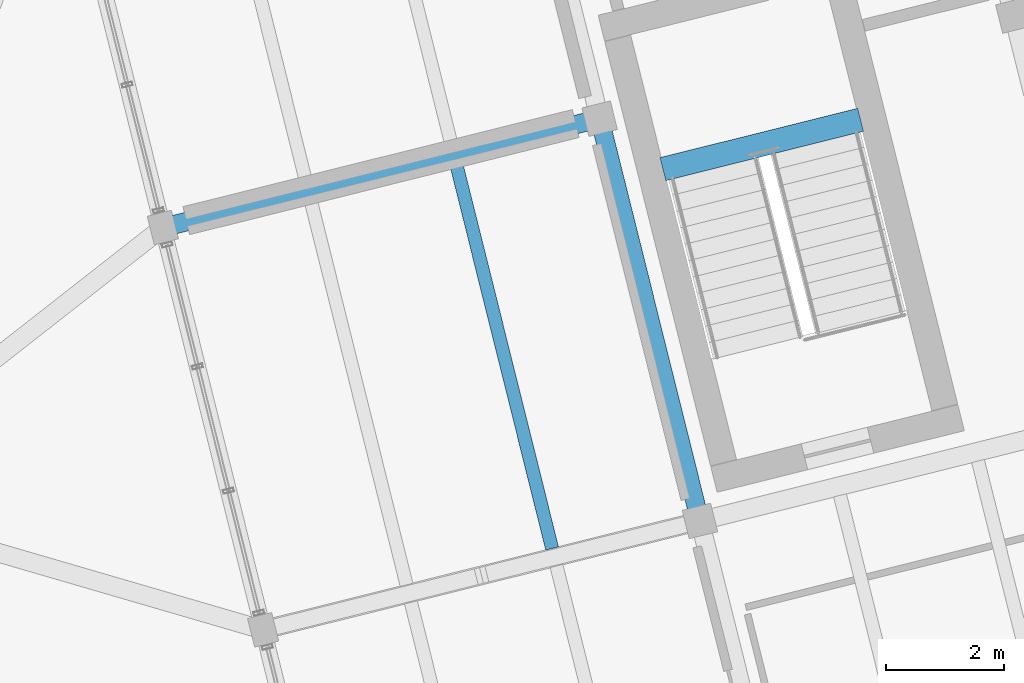
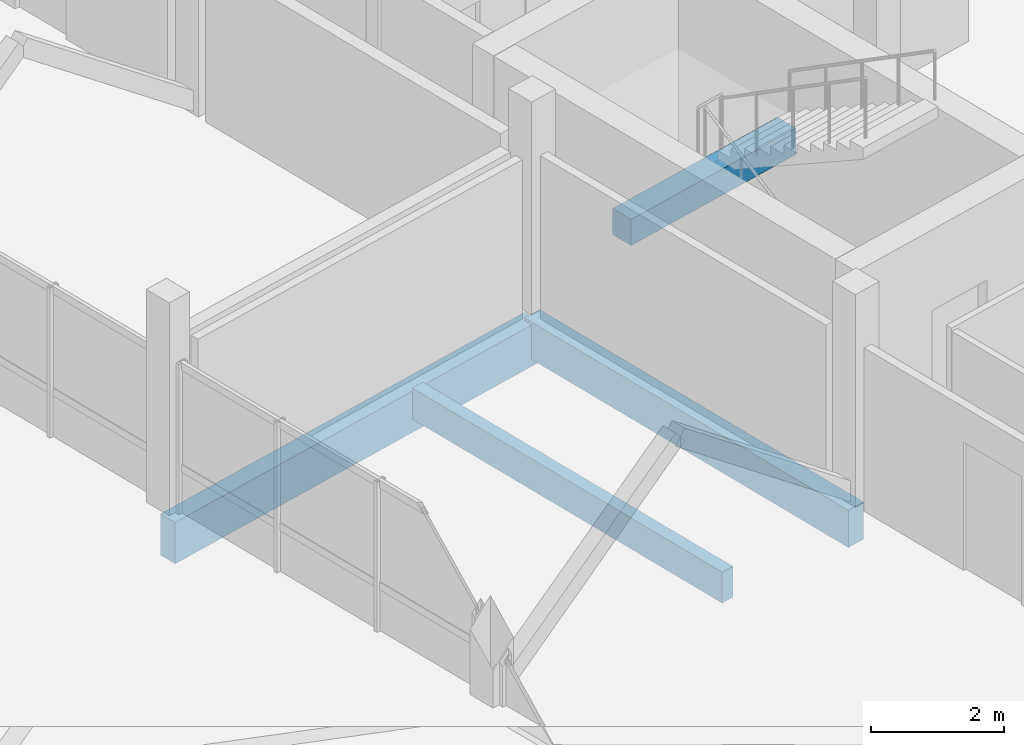
# One storey, part 4 of 37: 4 beams.
"""IFC4 building model written with IfcOpenShell, lengths in metres."""

import ifcopenshell
import ifcopenshell.guid

model = None  # the IFC model being written
_history = None  # IfcOwnerHistory: only IFC2X3 demands one
_inside = {}  # id of a spatial element -> (the spatial element, [elements in it])
_under = {}  # id of a project, library or spatial element -> (it, [spatial elements below it])
_declared = {}  # id of a project -> (the project, [libraries it declares])
_typed = {}  # id of a type object -> (the type object, [elements of that type])
_made_of = {}  # id of a material, layer set ... -> (it, [elements and type objects made of it])


def new_model(schema):
    """Start an empty IFC model of exactly this schema.

    Asked for "IFC4X3", IfcOpenShell would pick the latest addendum, in which some entities
    have other attributes; the version numbers below select the first issue.
    IFC2X3 requires an IfcOwnerHistory on every rooted entity: one is made here for all.
    """
    global model, _history
    if schema == "IFC4X3":
        model = ifcopenshell.file(schema_version=(4, 3, 0, 0))
    else:
        model = ifcopenshell.file(schema=schema)
    _inside.clear()
    _under.clear()
    _declared.clear()
    _typed.clear()
    _made_of.clear()
    _history = None
    if model.schema == "IFC2X3":
        org = make("IfcOrganization", Name="unknown")
        user = make(
            "IfcPersonAndOrganization",
            ThePerson=make("IfcPerson", FamilyName="unknown"),
            TheOrganization=org,
        )
        app = make(
            "IfcApplication",
            ApplicationDeveloper=org,
            Version="unknown",
            ApplicationFullName="unknown",
            ApplicationIdentifier="unknown",
        )
        _history = make(
            "IfcOwnerHistory",
            OwningUser=user,
            OwningApplication=app,
            ChangeAction="ADDED",
            CreationDate=0,
        )
    return model


def make(cls, **values):
    """One entity of the class cls with the attributes given. An attribute that is None is left unset."""
    return model.create_entity(
        cls, **{name: value for name, value in values.items() if value is not None}
    )


def rooted(cls, **values):
    """An entity with a GlobalId (a new one), such as an element, a storey or a relation."""
    return make(cls, GlobalId=ifcopenshell.guid.new(), OwnerHistory=_history, **values)


def si_unit(unit_type, name, prefix=None):
    """IfcSIUnit, for example si_unit("LENGTHUNIT", "METRE", prefix="MILLI")."""
    return make("IfcSIUnit", UnitType=unit_type, Prefix=prefix, Name=name)


def assignment(units):
    """IfcUnitAssignment: the units of a project."""
    return None if units is None else make("IfcUnitAssignment", Units=units)


def point(xyz):
    """IfcCartesianPoint."""
    return None if xyz is None else make("IfcCartesianPoint", Coordinates=xyz)


def direction(xyz):
    """IfcDirection."""
    return None if xyz is None else make("IfcDirection", DirectionRatios=xyz)


def frame(location, z_axis=None, x_axis=None):
    """IfcAxis2Placement3D, a coordinate frame: its origin and axes. An axis left out is left unset."""
    return make(
        "IfcAxis2Placement3D",
        Location=point(location),
        Axis=direction(z_axis),
        RefDirection=direction(x_axis),
    )


def frame_2d(location, x_axis=None):
    """IfcAxis2Placement2D, a coordinate frame in the plane: its origin and x axis."""
    return make(
        "IfcAxis2Placement2D", Location=point(location), RefDirection=direction(x_axis)
    )


def origin():
    """The frame at (0, 0, 0) with its axes left unset."""
    return frame((0.0, 0.0, 0.0))


def origin_2d():
    """The frame at (0, 0) in the plane with its x axis left unset."""
    return frame_2d((0.0, 0.0))


def place(relative_to, where):
    """IfcLocalPlacement: puts the frame where relative to a parent placement (None: the world)."""
    return make(
        "IfcLocalPlacement", PlacementRelTo=relative_to, RelativePlacement=where
    )


def context(
    kind, dimensions, precision=None, world=None, true_north=None, identifier=None
):
    """IfcGeometricRepresentationContext, for example the 3D "Model" context."""
    return make(
        "IfcGeometricRepresentationContext",
        ContextIdentifier=identifier,
        ContextType=kind,
        CoordinateSpaceDimension=dimensions,
        Precision=precision,
        WorldCoordinateSystem=world,
        TrueNorth=true_north,
    )


def subcontext(parent, identifier, kind, view, scale=None):
    """IfcGeometricRepresentationSubContext, for example "Body" below "Model"."""
    return make(
        "IfcGeometricRepresentationSubContext",
        ContextIdentifier=identifier,
        ContextType=kind,
        ParentContext=parent,
        TargetScale=scale,
        TargetView=view,
    )


def project(units=None, contexts=None):
    """IfcProject with its units and contexts."""
    return rooted(
        "IfcProject",
        Name="project",
        RepresentationContexts=contexts,
        UnitsInContext=assignment(units),
    )


def spatial(cls, under=None, at=None, **own):
    """A site, building, storey or space (cls), placed at a placement, below another one or the project."""
    s = rooted(cls, ObjectPlacement=at, **own)
    if under is not None:
        _under.setdefault(under.id(), (under, []))[1].append(s)
    return s


def profile(cls, at=None, kind="AREA", **sizes):
    """A parametric profile (cls). Its sizes go by their IFC names, for example OverallWidth=200.0."""
    return make(cls, ProfileType=kind, Position=at, **sizes)


def rectangle(**sizes):
    """IfcRectangleProfileDef."""
    return profile("IfcRectangleProfileDef", **sizes)


def extrude(swept, where, along, depth):
    """IfcExtrudedAreaSolid: the profile swept, set in the frame where, extruded along a direction by depth."""
    return make(
        "IfcExtrudedAreaSolid",
        SweptArea=swept,
        Position=where,
        ExtrudedDirection=direction(along),
        Depth=depth,
    )


def shape(context_of_items, identifier, shape_type, items):
    """IfcShapeRepresentation: the items that make up one representation, for example the "Body"."""
    return make(
        "IfcShapeRepresentation",
        ContextOfItems=context_of_items,
        RepresentationIdentifier=identifier,
        RepresentationType=shape_type,
        Items=items,
    )


def material(Name=None, Category=None):
    """IfcMaterial."""
    return make("IfcMaterial", Name=Name, Category=Category)


def material_profile(
    of_material, cross_section, Name=None, Category=None, Priority=None
):
    """IfcMaterialProfile: a cross section and its material."""
    return make(
        "IfcMaterialProfile",
        Name=Name,
        Material=of_material,
        Profile=cross_section,
        Priority=Priority,
        Category=Category,
    )


def profile_set(profiles, Name=None, composite=None):
    """IfcMaterialProfileSet."""
    return make(
        "IfcMaterialProfileSet",
        Name=Name,
        MaterialProfiles=profiles,
        CompositeProfile=composite,
    )


def made_of(thing, what):
    """Note that an element or type object is made of a material, layer set ...; save() writes the relation."""
    if what is not None:
        _made_of.setdefault(what.id(), (what, []))[1].append(thing)
    return thing


def type_object(cls, material=None, **own):
    """A type object (cls), such as IfcWallType, which elements share."""
    return made_of(rooted(cls, **own), material)


def element(
    cls,
    number,
    at=None,
    inside=None,
    cuts=None,
    type_object=None,
    material=None,
    context=None,
    identifier="Body",
    shape_type=None,
    held_by="IfcProductDefinitionShape",
    body=None,
    shapes=None,
    **own,
):
    """One element of the class cls, such as IfcWall. Its Tag is "e" and its number.

    at: its placement. inside: the storey or other place that contains it. cuts: it is an
    opening in that element (IfcRelVoidsElement). A single representation is given by context,
    identifier, shape_type and body (its items); several are given by shapes. held_by: the class
    of the entity that holds the representations. save() writes the other relations.
    """
    e = rooted(cls, Tag="e%d" % number, ObjectPlacement=at, **own)
    if body is not None:
        shapes = [shape(context, identifier, shape_type, body)]
    if shapes is not None:
        e.Representation = make(held_by, Representations=shapes)
    if inside is not None:
        _inside.setdefault(inside.id(), (inside, []))[1].append(e)
    if cuts is not None:
        rooted(
            "IfcRelVoidsElement", RelatingBuildingElement=cuts, RelatedOpeningElement=e
        )
    if type_object is not None:
        _typed.setdefault(type_object.id(), (type_object, []))[1].append(e)
    return made_of(e, material)


def aggregate(whole, parts):
    """IfcRelAggregates: a whole, such as a stair, and the parts it consists of."""
    return rooted("IfcRelAggregates", RelatingObject=whole, RelatedObjects=parts)


def save(model, path):
    """Write the relations noted so far, then the file.

    IfcRelAggregates (storeys below a building ...), IfcRelContainedInSpatialStructure (elements
    in a storey), IfcRelDefinesByType, IfcRelAssociatesMaterial and IfcRelDeclares: one each for
    every whole, place, type object, material and project.
    """
    for whole, parts in _under.values():
        aggregate(whole, parts)
    for where, things in _inside.values():
        rooted(
            "IfcRelContainedInSpatialStructure",
            RelatedElements=things,
            RelatingStructure=where,
        )
    for kind, things in _typed.values():
        rooted("IfcRelDefinesByType", RelatedObjects=things, RelatingType=kind)
    for what, things in _made_of.values():
        rooted("IfcRelAssociatesMaterial", RelatedObjects=things, RelatingMaterial=what)
    for by, libraries in _declared.values():
        rooted("IfcRelDeclares", RelatingContext=by, RelatedDefinitions=libraries)
    model.write(path)


model = new_model("IFC4")

# Units and contexts
model_context = context("Model", 3, precision=1e-05, world=origin(), true_north=direction((0.0, 1.0)))
body_context = subcontext(model_context, "Body", "Model", "MODEL_VIEW")
ifc_project = project(units=[si_unit("LENGTHUNIT", "METRE"), si_unit("AREAUNIT", "SQUARE_METRE"), si_unit("VOLUMEUNIT", "CUBIC_METRE"), si_unit("PLANEANGLEUNIT", "RADIAN"), si_unit("MASSUNIT", "GRAM", prefix="KILO")], contexts=[model_context])

# Site, building, storey
site_placement = place(None, origin())
site = spatial("IfcSite", under=ifc_project, at=site_placement, CompositionType="ELEMENT")
building_placement = place(site_placement, origin())
building = spatial("IfcBuilding", under=site, at=building_placement, Name="Meriwether Solvik Hall", CompositionType="ELEMENT")
storey_placement = place(building_placement, frame((0.0, 0.0, 26.10009765625)))
storey = spatial("IfcBuildingStorey", under=building, at=storey_placement, Name="L06", CompositionType="ELEMENT", Elevation=26.10009765625)

# Beams
ifc_material_1 = material(Name="Glulam Douglas-Fir 24F-V8 GL28h", Category="wood")
ifc_material_profile_1 = material_profile(ifc_material_1, rectangle(XDim=0.31494140625, YDim=0.68505859375, at=origin_2d()), Name="GLB-315X685")
ifc_profile_set_1 = profile_set([ifc_material_profile_1], Name="Glulam Douglas-Fir 24F-V8 GL28h")
beam_type_1 = type_object("IfcBeamType", Name="BM-GL-315X685", PredefinedType="BEAM", material=ifc_profile_set_1)
beam_1_placement = place(storey_placement, frame((74.3291015625, 49.63671875, -0.5625), z_axis=(-0.241911879182, 0.970298223594, 0.0), x_axis=(-0.970298223594, -0.241911879182, 0.0)))
element("IfcBeam", 1, at=beam_1_placement, inside=storey, type_object=beam_type_1, Name="Tower Girder T2:TB-TC (L06)", PredefinedType="BEAM", context=body_context, shape_type="SweptSolid", body=[
    extrude(rectangle(XDim=0.31494140625, YDim=0.68505859375, at=origin_2d()), origin(), (0.0, 0.0, 1.0), 7.0),
])
ifc_material_2 = material(Name="Glulam Douglas-Fir 24F-V8 GL28h", Category="wood")
ifc_material_profile_2 = material_profile(ifc_material_2, rectangle(XDim=0.31494140625, YDim=0.760009765625, at=origin_2d()), Name="GLB-315X760")
ifc_profile_set_2 = profile_set([ifc_material_profile_2], Name="Glulam Douglas-Fir 24F-V8 GL28h")
beam_type_2 = type_object("IfcBeamType", Name="BM-GL-315X760", PredefinedType="BEAM", material=ifc_profile_set_2)
beam_2_placement = place(storey_placement, frame((65.261474609375, 54.590087890625, -0.650146484375), z_axis=(0.970295366785, 0.241923337436, 0.0), x_axis=(-0.241923337436, 0.970295366785, 0.0)))
element("IfcBeam", 2, at=beam_2_placement, inside=storey, type_object=beam_type_2, Name="Tower Girder TC:T1-T2 (L06)", PredefinedType="BEAM", context=body_context, shape_type="SweptSolid", body=[
    extrude(rectangle(XDim=0.31494140625, YDim=0.760009765625, at=origin_2d()), origin(), (0.0, 0.0, 1.0), 7.60009765625),
])
ifc_material_3 = material(Name="Concrete C40/50", Category="concrete")
ifc_material_profile_3 = material_profile(ifc_material_3, rectangle(XDim=0.39990234375, YDim=0.47998046875, at=origin_2d()), Name="RCB-400X480")
ifc_profile_set_3 = profile_set([ifc_material_profile_3], Name="Concrete C40/50")
beam_type_3 = type_object("IfcBeamType", Name="BM-LND-RC-400X480", PredefinedType="BEAM", material=ifc_profile_set_3)
beam_3_placement = place(storey_placement, frame((73.70361328125, 55.57666015625, 1.510009765625), z_axis=(0.970288447449, 0.24195108751, 0.0), x_axis=(-0.24195108751, 0.970288447449, 0.0)))
element("IfcBeam", 3, at=beam_3_placement, inside=storey, type_object=beam_type_3, Name="Stair ST-01 Half-Landing Header Beam (L06)", PredefinedType="BEAM", context=body_context, shape_type="SweptSolid", body=[
    extrude(rectangle(XDim=0.39990234375, YDim=0.47998046875, at=origin_2d()), origin(), (0.0, 0.0, 1.0), 3.43994140625),
])
ifc_material_4 = material(Name="Glulam Douglas-Fir 24F-V8 GL28h", Category="wood")
ifc_material_profile_4 = material_profile(ifc_material_4, rectangle(XDim=0.221923828125, YDim=0.570068359375, at=origin_2d()), Name="GLJ-222X570")
ifc_profile_set_4 = profile_set([ifc_material_profile_4], Name="Glulam Douglas-Fir 24F-V8 GL28h")
beam_type_4 = type_object("IfcBeamType", Name="JST-GL-222X570", PredefinedType="JOIST", material=ifc_profile_set_4)
beam_4_placement = place(storey_placement, frame((71.834228515625, 49.171630859375, -0.505126953125), z_axis=(-0.241909233393, 0.970298883231, 0.0), x_axis=(-0.970298883231, -0.241909233393, 0.0)))
element("IfcBeam", 4, at=beam_4_placement, inside=storey, type_object=beam_type_4, Name="Glulam Floor Joist T1/TB-J2 (L06)", PredefinedType="JOIST", context=body_context, shape_type="SweptSolid", body=[
    extrude(rectangle(XDim=0.221923828125, YDim=0.570068359375, at=origin_2d()), origin(), (0.0, 0.0, 1.0), 6.6953125),
])

save(model, "model.ifc")
